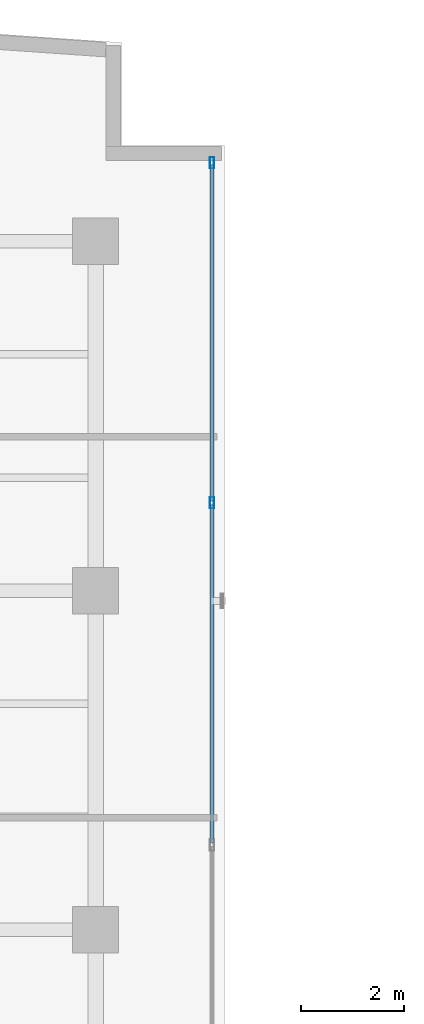
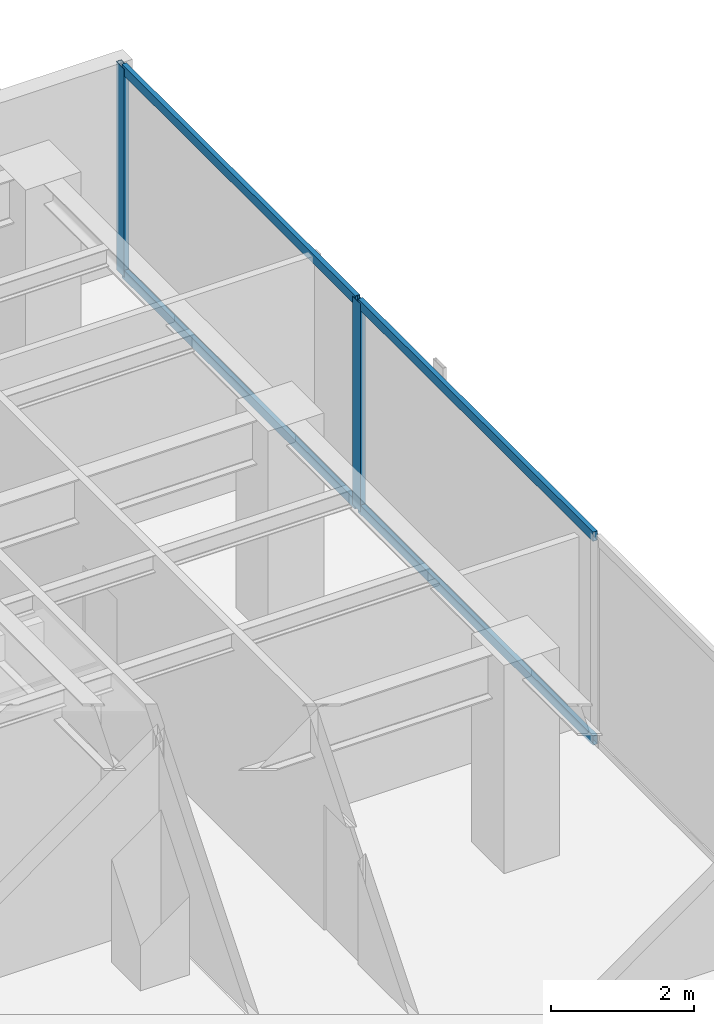
# One storey, part 15 of 23: 6 members, 1 element without a shape of its own.
"""IFC4 building model written with IfcOpenShell, lengths in metres."""

import ifcopenshell
import ifcopenshell.guid

model = None  # the IFC model being written
_history = None  # IfcOwnerHistory: only IFC2X3 demands one
_inside = {}  # id of a spatial element -> (the spatial element, [elements in it])
_under = {}  # id of a project, library or spatial element -> (it, [spatial elements below it])
_declared = {}  # id of a project -> (the project, [libraries it declares])
_typed = {}  # id of a type object -> (the type object, [elements of that type])
_made_of = {}  # id of a material, layer set ... -> (it, [elements and type objects made of it])


def new_model(schema):
    """Start an empty IFC model of exactly this schema.

    Asked for "IFC4X3", IfcOpenShell would pick the latest addendum, in which some entities
    have other attributes; the version numbers below select the first issue.
    IFC2X3 requires an IfcOwnerHistory on every rooted entity: one is made here for all.
    """
    global model, _history
    if schema == "IFC4X3":
        model = ifcopenshell.file(schema_version=(4, 3, 0, 0))
    else:
        model = ifcopenshell.file(schema=schema)
    _inside.clear()
    _under.clear()
    _declared.clear()
    _typed.clear()
    _made_of.clear()
    _history = None
    if model.schema == "IFC2X3":
        org = make("IfcOrganization", Name="unknown")
        user = make(
            "IfcPersonAndOrganization",
            ThePerson=make("IfcPerson", FamilyName="unknown"),
            TheOrganization=org,
        )
        app = make(
            "IfcApplication",
            ApplicationDeveloper=org,
            Version="unknown",
            ApplicationFullName="unknown",
            ApplicationIdentifier="unknown",
        )
        _history = make(
            "IfcOwnerHistory",
            OwningUser=user,
            OwningApplication=app,
            ChangeAction="ADDED",
            CreationDate=0,
        )
    return model


def make(cls, **values):
    """One entity of the class cls with the attributes given. An attribute that is None is left unset."""
    return model.create_entity(
        cls, **{name: value for name, value in values.items() if value is not None}
    )


def rooted(cls, **values):
    """An entity with a GlobalId (a new one), such as an element, a storey or a relation."""
    return make(cls, GlobalId=ifcopenshell.guid.new(), OwnerHistory=_history, **values)


def si_unit(unit_type, name, prefix=None):
    """IfcSIUnit, for example si_unit("LENGTHUNIT", "METRE", prefix="MILLI")."""
    return make("IfcSIUnit", UnitType=unit_type, Prefix=prefix, Name=name)


def assignment(units):
    """IfcUnitAssignment: the units of a project."""
    return None if units is None else make("IfcUnitAssignment", Units=units)


def point(xyz):
    """IfcCartesianPoint."""
    return None if xyz is None else make("IfcCartesianPoint", Coordinates=xyz)


def direction(xyz):
    """IfcDirection."""
    return None if xyz is None else make("IfcDirection", DirectionRatios=xyz)


def frame(location, z_axis=None, x_axis=None):
    """IfcAxis2Placement3D, a coordinate frame: its origin and axes. An axis left out is left unset."""
    return make(
        "IfcAxis2Placement3D",
        Location=point(location),
        Axis=direction(z_axis),
        RefDirection=direction(x_axis),
    )


def frame_2d(location, x_axis=None):
    """IfcAxis2Placement2D, a coordinate frame in the plane: its origin and x axis."""
    return make(
        "IfcAxis2Placement2D", Location=point(location), RefDirection=direction(x_axis)
    )


def origin():
    """The frame at (0, 0, 0) with its axes left unset."""
    return frame((0.0, 0.0, 0.0))


def origin_with_axes():
    """The frame at (0, 0, 0) with the z axis (0, 0, 1) and the x axis (1, 0, 0) written out."""
    return frame((0.0, 0.0, 0.0), z_axis=(0.0, 0.0, 1.0), x_axis=(1.0, 0.0, 0.0))


def origin_2d():
    """The frame at (0, 0) in the plane with its x axis left unset."""
    return frame_2d((0.0, 0.0))


def place(relative_to, where):
    """IfcLocalPlacement: puts the frame where relative to a parent placement (None: the world)."""
    return make(
        "IfcLocalPlacement", PlacementRelTo=relative_to, RelativePlacement=where
    )


def context(
    kind, dimensions, precision=None, world=None, true_north=None, identifier=None
):
    """IfcGeometricRepresentationContext, for example the 3D "Model" context."""
    return make(
        "IfcGeometricRepresentationContext",
        ContextIdentifier=identifier,
        ContextType=kind,
        CoordinateSpaceDimension=dimensions,
        Precision=precision,
        WorldCoordinateSystem=world,
        TrueNorth=true_north,
    )


def subcontext(parent, identifier, kind, view, scale=None):
    """IfcGeometricRepresentationSubContext, for example "Body" below "Model"."""
    return make(
        "IfcGeometricRepresentationSubContext",
        ContextIdentifier=identifier,
        ContextType=kind,
        ParentContext=parent,
        TargetScale=scale,
        TargetView=view,
    )


def project(units=None, contexts=None):
    """IfcProject with its units and contexts."""
    return rooted(
        "IfcProject",
        Name="project",
        RepresentationContexts=contexts,
        UnitsInContext=assignment(units),
    )


def spatial(cls, under=None, at=None, **own):
    """A site, building, storey or space (cls), placed at a placement, below another one or the project."""
    s = rooted(cls, ObjectPlacement=at, **own)
    if under is not None:
        _under.setdefault(under.id(), (under, []))[1].append(s)
    return s


def profile(cls, at=None, kind="AREA", **sizes):
    """A parametric profile (cls). Its sizes go by their IFC names, for example OverallWidth=200.0."""
    return make(cls, ProfileType=kind, Position=at, **sizes)


def hollow_rectangle(**sizes):
    """IfcRectangleHollowProfileDef."""
    return profile("IfcRectangleHollowProfileDef", **sizes)


def extrude(swept, where, along, depth):
    """IfcExtrudedAreaSolid: the profile swept, set in the frame where, extruded along a direction by depth."""
    return make(
        "IfcExtrudedAreaSolid",
        SweptArea=swept,
        Position=where,
        ExtrudedDirection=direction(along),
        Depth=depth,
    )


def shape(context_of_items, identifier, shape_type, items):
    """IfcShapeRepresentation: the items that make up one representation, for example the "Body"."""
    return make(
        "IfcShapeRepresentation",
        ContextOfItems=context_of_items,
        RepresentationIdentifier=identifier,
        RepresentationType=shape_type,
        Items=items,
    )


def source(mapping_origin, context_of_items, identifier, shape_type, items):
    """IfcRepresentationMap: a shape defined once, which mapped items show again and again."""
    return make(
        "IfcRepresentationMap",
        MappingOrigin=mapping_origin,
        MappedRepresentation=shape(context_of_items, identifier, shape_type, items),
    )


def transform(
    local_origin,
    x_axis=None,
    y_axis=None,
    z_axis=None,
    scale=None,
    scale2=None,
    scale3=None,
    uniform=True,
):
    """IfcCartesianTransformationOperator3D, or its non-uniform kind. x_axis, y_axis, z_axis: its Axis1, 2, 3."""
    if uniform:
        return make(
            "IfcCartesianTransformationOperator3D",
            Axis1=direction(x_axis),
            Axis2=direction(y_axis),
            LocalOrigin=point(local_origin),
            Scale=scale,
            Axis3=direction(z_axis),
        )
    return make(
        "IfcCartesianTransformationOperator3DnonUniform",
        Axis1=direction(x_axis),
        Axis2=direction(y_axis),
        LocalOrigin=point(local_origin),
        Scale=scale,
        Axis3=direction(z_axis),
        Scale2=scale2,
        Scale3=scale3,
    )


def mapped(mapping_source, mapping_target):
    """IfcMappedItem: shows the shape of a source again, moved by a transform."""
    return make(
        "IfcMappedItem", MappingSource=mapping_source, MappingTarget=mapping_target
    )


def material(Name=None, Category=None):
    """IfcMaterial."""
    return make("IfcMaterial", Name=Name, Category=Category)


def layer(
    of_material, thickness, ventilated=None, Name=None, Category=None, Priority=None
):
    """IfcMaterialLayer: one layer of a wall or slab, of a material (None: an air gap)."""
    return make(
        "IfcMaterialLayer",
        Material=of_material,
        LayerThickness=thickness,
        IsVentilated=ventilated,
        Name=Name,
        Category=Category,
        Priority=Priority,
    )


def layer_set(layers, Name=None):
    """IfcMaterialLayerSet."""
    return make("IfcMaterialLayerSet", MaterialLayers=layers, LayerSetName=Name)


def material_profile(
    of_material, cross_section, Name=None, Category=None, Priority=None
):
    """IfcMaterialProfile: a cross section and its material."""
    return make(
        "IfcMaterialProfile",
        Name=Name,
        Material=of_material,
        Profile=cross_section,
        Priority=Priority,
        Category=Category,
    )


def profile_set(profiles, Name=None, composite=None):
    """IfcMaterialProfileSet."""
    return make(
        "IfcMaterialProfileSet",
        Name=Name,
        MaterialProfiles=profiles,
        CompositeProfile=composite,
    )


def made_of(thing, what):
    """Note that an element or type object is made of a material, layer set ...; save() writes the relation."""
    if what is not None:
        _made_of.setdefault(what.id(), (what, []))[1].append(thing)
    return thing


def type_object(cls, material=None, **own):
    """A type object (cls), such as IfcWallType, which elements share."""
    return made_of(rooted(cls, **own), material)


def element(
    cls,
    number,
    at=None,
    inside=None,
    cuts=None,
    type_object=None,
    material=None,
    context=None,
    identifier="Body",
    shape_type=None,
    held_by="IfcProductDefinitionShape",
    body=None,
    shapes=None,
    **own,
):
    """One element of the class cls, such as IfcWall. Its Tag is "e" and its number.

    at: its placement. inside: the storey or other place that contains it. cuts: it is an
    opening in that element (IfcRelVoidsElement). A single representation is given by context,
    identifier, shape_type and body (its items); several are given by shapes. held_by: the class
    of the entity that holds the representations. save() writes the other relations.
    """
    e = rooted(cls, Tag="e%d" % number, ObjectPlacement=at, **own)
    if body is not None:
        shapes = [shape(context, identifier, shape_type, body)]
    if shapes is not None:
        e.Representation = make(held_by, Representations=shapes)
    if inside is not None:
        _inside.setdefault(inside.id(), (inside, []))[1].append(e)
    if cuts is not None:
        rooted(
            "IfcRelVoidsElement", RelatingBuildingElement=cuts, RelatedOpeningElement=e
        )
    if type_object is not None:
        _typed.setdefault(type_object.id(), (type_object, []))[1].append(e)
    return made_of(e, material)


def aggregate(whole, parts):
    """IfcRelAggregates: a whole, such as a stair, and the parts it consists of."""
    return rooted("IfcRelAggregates", RelatingObject=whole, RelatedObjects=parts)


def save(model, path):
    """Write the relations noted so far, then the file.

    IfcRelAggregates (storeys below a building ...), IfcRelContainedInSpatialStructure (elements
    in a storey), IfcRelDefinesByType, IfcRelAssociatesMaterial and IfcRelDeclares: one each for
    every whole, place, type object, material and project.
    """
    for whole, parts in _under.values():
        aggregate(whole, parts)
    for where, things in _inside.values():
        rooted(
            "IfcRelContainedInSpatialStructure",
            RelatedElements=things,
            RelatingStructure=where,
        )
    for kind, things in _typed.values():
        rooted("IfcRelDefinesByType", RelatedObjects=things, RelatingType=kind)
    for what, things in _made_of.values():
        rooted("IfcRelAssociatesMaterial", RelatedObjects=things, RelatingMaterial=what)
    for by, libraries in _declared.values():
        rooted("IfcRelDeclares", RelatingContext=by, RelatedDefinitions=libraries)
    model.write(path)


model = new_model("IFC4")

# Units and contexts
model_context = context("Model", 3, precision=1e-05, world=origin(), true_north=direction((0.0, 1.0)))
body_context = subcontext(model_context, "Body", "Model", "MODEL_VIEW")
ifc_project = project(units=[si_unit("LENGTHUNIT", "METRE"), si_unit("AREAUNIT", "SQUARE_METRE"), si_unit("VOLUMEUNIT", "CUBIC_METRE"), si_unit("PLANEANGLEUNIT", "RADIAN"), si_unit("MASSUNIT", "GRAM", prefix="KILO")], contexts=[model_context])

# Site, building, storey
site_placement = place(None, origin())
site = spatial("IfcSite", under=ifc_project, at=site_placement, CompositionType="ELEMENT")
building_placement = place(site_placement, origin())
building = spatial("IfcBuilding", under=site, at=building_placement, Name="Kolvaren Waterfront Exchange", CompositionType="ELEMENT")
storey_placement = place(building_placement, frame((0.0, 0.0, 297.0)))
storey = spatial("IfcBuildingStorey", under=building, at=storey_placement, Name="L76", CompositionType="ELEMENT", Elevation=297.0)

# Curtain wall, members
ifc_material_1 = material(Name="Anodised bronze aluminium 6063-T6", Category="aluminium")
ifc_layer = layer(ifc_material_1, 0.219970703125, Name="Anodised bronze aluminium 6063-T6")
ifc_layer_set = layer_set([ifc_layer], Name="Anodised bronze aluminium 6063-T6")
curtain_wall_type = type_object("IfcCurtainWallType", Name="ARC-CW-SYS1", PredefinedType="USERDEFINED", material=ifc_layer_set)
curtain_wall_placement = place(storey_placement, origin())
curtain_wall = element("IfcCurtainWall", 1, at=curtain_wall_placement, inside=storey, type_object=curtain_wall_type, Name="L76 stick curtain wall CW1 (CW-L76-NE)", ObjectType="STICK CURTAIN WALL", PredefinedType="USERDEFINED")
ifc_material_2 = material(Name="Anodised aluminium 6063-T6", Category="aluminium")
ifc_material_profile_1 = material_profile(ifc_material_2, hollow_rectangle(XDim=0.080078125, YDim=0.219970703125, WallThickness=0.0048828125, at=origin_2d()), Name="ALU-MUL-220x80x5")
ifc_profile_set_1 = profile_set([ifc_material_profile_1], Name="Anodised aluminium 6063-T6")
member_type_1 = type_object("IfcMemberType", Name="ARC-CWM-220", PredefinedType="MULLION", material=ifc_profile_set_1)
shared_shape_1 = source(origin_with_axes(), body_context, "Body", "SweptSolid", [
    extrude(hollow_rectangle(XDim=0.080078125, YDim=0.219970703125, WallThickness=0.0048828125, at=origin_2d()), origin(), (0.0, 0.0, 1.0), 3.56005859375),
])
member_1_placement = place(storey_placement, frame((21.065185546875, 39.5107421875, 0.0), z_axis=(0.0, 0.0, 1.0), x_axis=(-1.0, 0.0, 0.0)))
member_1 = element("IfcMember", 2, at=member_1_placement, type_object=member_type_1, Name="CW1 mullion 3", PredefinedType="MULLION", context=body_context, shape_type="MappedRepresentation", body=[
    mapped(shared_shape_1, transform((0.0, 0.0, 0.0), x_axis=(1.0, 0.0, 0.0), y_axis=(0.0, 1.0, 0.0), z_axis=(0.0, 0.0, 1.0), scale=1.0)),
])
member_2_placement = place(storey_placement, frame((21.065185546875, 46.12841796875, 0.0), z_axis=(0.0, 0.0, 1.0), x_axis=(-1.0, 0.0, 0.0)))
member_2 = element("IfcMember", 3, at=member_2_placement, type_object=member_type_1, Name="CW1 mullion 4", PredefinedType="MULLION", context=body_context, shape_type="MappedRepresentation", body=[
    mapped(shared_shape_1, transform((0.0, 0.0, 0.0), x_axis=(1.0, 0.0, 0.0), y_axis=(0.0, 1.0, 0.0), z_axis=(0.0, 0.0, 1.0), scale=1.0)),
])
ifc_material_profile_2 = material_profile(ifc_material_2, hollow_rectangle(XDim=0.074951171875, YDim=0.159912109375, WallThickness=0.00439453125, at=origin_2d()), Name="ALU-TRN-160x75x4.5")
ifc_profile_set_2 = profile_set([ifc_material_profile_2], Name="Anodised aluminium 6063-T6")
member_type_2 = type_object("IfcMemberType", Name="ARC-CWT-160", PredefinedType="USERDEFINED", material=ifc_profile_set_2)
shared_shape_2 = source(origin_with_axes(), body_context, "Body", "SweptSolid", [
    extrude(hollow_rectangle(XDim=0.074951171875, YDim=0.159912109375, WallThickness=0.00439453125, at=origin_2d()), origin(), (0.0, 0.0, 1.0), 6.53759765625),
])
member_3_placement = place(storey_placement, frame((21.065185546875, 39.55078125, 0.03759765625), z_axis=(0.0, 1.0, 0.0), x_axis=(-1.0, 0.0, 0.0)))
member_3 = element("IfcMember", 4, at=member_3_placement, type_object=member_type_2, Name="CW1 transom 3.1", ObjectType="TRANSOM", PredefinedType="USERDEFINED", context=body_context, shape_type="MappedRepresentation", body=[
    mapped(shared_shape_2, transform((0.0, 0.0, 0.0), x_axis=(1.0, 0.0, 0.0), y_axis=(0.0, 1.0, 0.0), z_axis=(0.0, 0.0, 1.0), scale=1.0)),
])
member_4_placement = place(storey_placement, frame((21.065185546875, 39.55078125, 3.5224609375), z_axis=(0.0, 1.0, 0.0), x_axis=(-1.0, 0.0, 0.0)))
member_4 = element("IfcMember", 5, at=member_4_placement, type_object=member_type_2, Name="CW1 transom 3.2", ObjectType="TRANSOM", PredefinedType="USERDEFINED", context=body_context, shape_type="MappedRepresentation", body=[
    mapped(shared_shape_2, transform((0.0, 0.0, 0.0), x_axis=(1.0, 0.0, 0.0), y_axis=(0.0, 1.0, 0.0), z_axis=(0.0, 0.0, 1.0), scale=1.0)),
])
shared_shape_3 = source(origin_with_axes(), body_context, "Body", "SweptSolid", [
    extrude(hollow_rectangle(XDim=0.074951171875, YDim=0.159912109375, WallThickness=0.00439453125, at=origin_2d()), origin(), (0.0, 0.0, 1.0), 6.57763671875),
])
member_5_placement = place(storey_placement, frame((21.065185546875, 32.89306640625, 0.03759765625), z_axis=(0.0, 1.0, 0.0), x_axis=(-1.0, 0.0, 0.0)))
member_5 = element("IfcMember", 6, at=member_5_placement, type_object=member_type_2, Name="CW1 transom 2.1", ObjectType="TRANSOM", PredefinedType="USERDEFINED", context=body_context, shape_type="MappedRepresentation", body=[
    mapped(shared_shape_3, transform((0.0, 0.0, 0.0), x_axis=(1.0, 0.0, 0.0), y_axis=(0.0, 1.0, 0.0), z_axis=(0.0, 0.0, 1.0), scale=1.0)),
])
member_6_placement = place(storey_placement, frame((21.065185546875, 32.89306640625, 3.5224609375), z_axis=(0.0, 1.0, 0.0), x_axis=(-1.0, 0.0, 0.0)))
member_6 = element("IfcMember", 7, at=member_6_placement, type_object=member_type_2, Name="CW1 transom 2.2", ObjectType="TRANSOM", PredefinedType="USERDEFINED", context=body_context, shape_type="MappedRepresentation", body=[
    mapped(shared_shape_3, transform((0.0, 0.0, 0.0), x_axis=(1.0, 0.0, 0.0), y_axis=(0.0, 1.0, 0.0), z_axis=(0.0, 0.0, 1.0), scale=1.0)),
])
aggregate(curtain_wall, [member_1, member_2, member_5, member_6, member_3, member_4])

save(model, "model.ifc")
